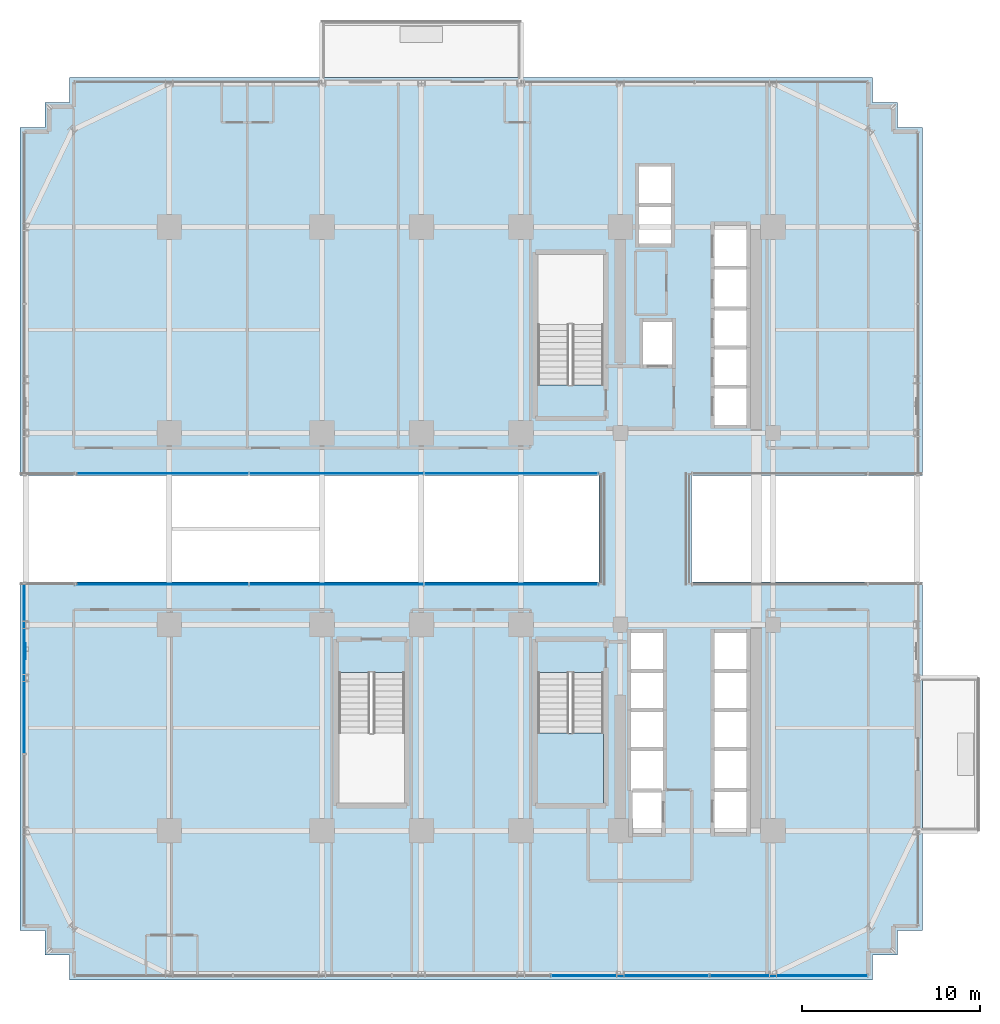
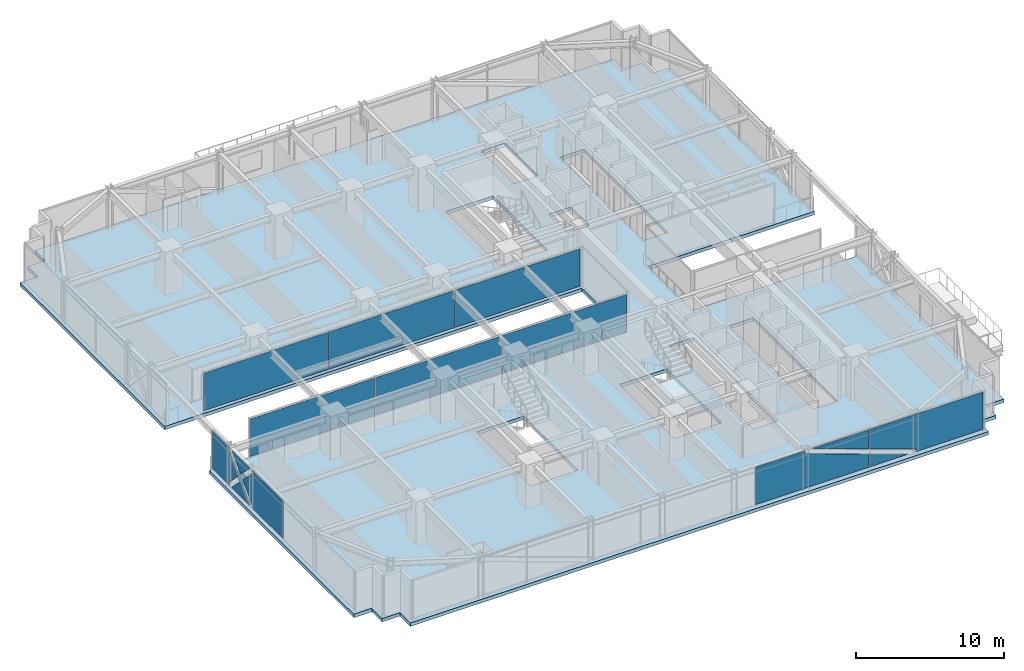
# One storey, part 35 of 47: 10 plates, 2 slabs, 5 elements without a shape of their own.
"""IFC4 building model written with IfcOpenShell, lengths in metres."""

from ifc_helpers import new_model, si_unit, direction, frame, origin, origin_2d, place, context, subcontext, project, spatial, polyline, rectangle, outline, extrude, source, transform, mapped, material, layer, layer_set, type_object, element, aggregate, save


model = new_model("IFC4")

# Units and contexts
model_context = context("Model", 3, precision=1e-05, world=origin(), true_north=direction((0.0, 1.0)))
body_context = subcontext(model_context, "Body", "Model", "MODEL_VIEW")
ifc_project = project(units=[si_unit("LENGTHUNIT", "METRE"), si_unit("AREAUNIT", "SQUARE_METRE"), si_unit("VOLUMEUNIT", "CUBIC_METRE"), si_unit("PLANEANGLEUNIT", "RADIAN"), si_unit("MASSUNIT", "GRAM", prefix="KILO")], contexts=[model_context])

# Site, building, storey
site_placement = place(None, origin())
site = spatial("IfcSite", under=ifc_project, at=site_placement, CompositionType="ELEMENT")
building_placement = place(site_placement, origin())
building = spatial("IfcBuilding", under=site, at=building_placement, Name="Nahalor Promenade Grand Hotel", CompositionType="ELEMENT")
storey_placement = place(building_placement, frame((0.0, 0.0, 68.89990234375)))
storey = spatial("IfcBuildingStorey", under=building, at=storey_placement, Name="L16", CompositionType="ELEMENT", Elevation=68.89990234375)

# Curtain wall, plates
ifc_material_1 = material(Name="Anodised Bronze Aluminium EN AW-6063 T6", Category="aluminium")
curtain_wall_type = type_object("IfcCurtainWallType", Name="CW3 Elliptical-Void Collar Unitised Curtain Wall", PredefinedType="USERDEFINED", material=ifc_material_1)
curtain_wall_1_placement = place(storey_placement, origin())
curtain_wall_1 = element("IfcCurtainWall", 1, at=curtain_wall_1_placement, inside=storey, type_object=curtain_wall_type, Name="L16 Curtain Wall CW-L16-S-1", ObjectType="UNITISED_CURTAIN_WALL", PredefinedType="USERDEFINED")
ifc_material_2 = material(Name="Low-E Laminated Solar Glass", Category="glass")
ifc_layer_1 = layer(ifc_material_2, 0.030029296875)
ifc_layer_set_1 = layer_set([ifc_layer_1], Name="Low-E Laminated Solar Glass")
plate_type_1 = type_object("IfcPlateType", Name="CWP3 High-Wind Laminated Bronze IGU 30mm", PredefinedType="CURTAIN_PANEL", material=ifc_layer_set_1)
plate_1_placement = place(storey_placement, frame((8.944091796875, -25.159912109375, 0.14013671875), z_axis=(0.0, 0.0, 1.0), x_axis=(1.0, 0.0, 0.0)))
plate_1 = element("IfcPlate", 2, at=plate_1_placement, type_object=plate_type_1, Name="CW-L16-S-1 Glazing Panel 3-0", PredefinedType="CURTAIN_PANEL", context=body_context, shape_type="SweptSolid", body=[
    extrude(outline(polyline([(-4.43701171875, 0.0), (4.43701171875, 0.0), (4.43701171875, 1.089599609375), (-0.634765625, 2.900146484375), (-0.56689453125, 3.090087890625), (-4.43701171875, 3.090087890625), (-4.43701171875, 0.0)])), frame((0.0, 0.01513671875, 0.0), z_axis=(0.0, -1.0, 0.0), x_axis=(1.0, 0.0, 0.0)), (0.0, 0.0, 1.0), 0.030029296875),
    extrude(outline(polyline([(4.43701171875, 1.51416015625), (4.43701171875, 3.090087890625), (0.02294921875, 3.090087890625), (4.43701171875, 1.51416015625)])), frame((0.0, 0.01513671875, 0.0), z_axis=(0.0, -1.0, 0.0), x_axis=(1.0, 0.0, 0.0)), (0.0, 0.0, 1.0), 0.030029296875),
])
plate_2_placement = place(storey_placement, frame((17.87060546875, -25.159912109375, 0.14013671875), z_axis=(0.0, 0.0, 1.0), x_axis=(1.0, 0.0, 0.0)))
plate_2 = element("IfcPlate", 3, at=plate_2_placement, type_object=plate_type_1, Name="CW-L16-S-1 Glazing Panel 4-0", PredefinedType="CURTAIN_PANEL", context=body_context, shape_type="SweptSolid", body=[
    extrude(outline(polyline([(4.41943359375, 3.090087890625), (-4.41943359375, 3.090087890625), (-4.41943359375, 1.4892578125), (-0.77978515625, 0.18994140625), (-0.847412109375, 0.0), (4.41943359375, 0.0), (4.41943359375, 3.090087890625)])), frame((0.0, 0.01513671875, 0.0), z_axis=(0.0, -1.0, 0.0), x_axis=(1.0, 0.0, 0.0)), (0.0, 0.0, 1.0), 0.030029296875),
    extrude(outline(polyline([(-4.41943359375, 1.064453125), (-4.41943359375, 0.0), (-1.437255859375, 0.0), (-4.41943359375, 1.064453125)])), frame((0.0, 0.01513671875, 0.0), z_axis=(0.0, -1.0, 0.0), x_axis=(1.0, 0.0, 0.0)), (0.0, 0.0, 1.0), 0.030029296875),
])
aggregate(curtain_wall_1, [plate_1, plate_2])

# Curtain wall, plate
curtain_wall_2_placement = place(storey_placement, origin())
curtain_wall_2 = element("IfcCurtainWall", 4, at=curtain_wall_2_placement, inside=storey, type_object=curtain_wall_type, Name="L16 Curtain Wall CW-L16-W-1", ObjectType="UNITISED_CURTAIN_WALL", PredefinedType="USERDEFINED")
plate_3_placement = place(storey_placement, frame((-25.159912109375, -7.856689453125, 0.14013671875), z_axis=(0.0, 0.0, 1.0), x_axis=(0.0, 1.0, 0.0)))
plate_3 = element("IfcPlate", 5, at=plate_3_placement, type_object=plate_type_1, Name="CW-L16-W-1 Glazing Panel 1-0", PredefinedType="CURTAIN_PANEL", context=body_context, shape_type="SweptSolid", body=[
    extrude(outline(polyline([(-4.787841796875, 3.090087890625), (-4.787841796875, 0.0), (-0.56884765625, 0.0), (-0.703857421875, 0.1318359375), (0.67724609375, 1.544921875), (-0.703857421875, 2.9580078125), (-0.56884765625, 3.090087890625), (-4.787841796875, 3.090087890625)])), frame((0.0, 0.01513671875, 0.0), z_axis=(0.0, -1.0, 0.0), x_axis=(1.0, 0.0, 0.0)), (0.0, 0.0, 1.0), 0.030029296875),
    extrude(outline(polyline([(0.956787109375, 1.2587890625), (-0.2734375, 0.0), (2.186767578125, 0.0), (0.956787109375, 1.2587890625)])), frame((0.0, 0.01513671875, 0.0), z_axis=(0.0, -1.0, 0.0), x_axis=(1.0, 0.0, 0.0)), (0.0, 0.0, 1.0), 0.030029296875),
    extrude(outline(polyline([(0.956787109375, 1.831298828125), (2.186767578125, 3.090087890625), (-0.2734375, 3.090087890625), (0.956787109375, 1.831298828125)])), frame((0.0, 0.01513671875, 0.0), z_axis=(0.0, -1.0, 0.0), x_axis=(1.0, 0.0, 0.0)), (0.0, 0.0, 1.0), 0.030029296875),
    extrude(outline(polyline([(4.787841796875, 0.0), (4.787841796875, 3.090087890625), (2.482177734375, 3.090087890625), (2.6171875, 2.9580078125), (1.236328125, 1.544921875), (2.6171875, 0.1318359375), (2.482177734375, 0.0), (4.787841796875, 0.0)])), frame((0.0, 0.01513671875, 0.0), z_axis=(0.0, -1.0, 0.0), x_axis=(1.0, 0.0, 0.0)), (0.0, 0.0, 1.0), 0.030029296875),
])
aggregate(curtain_wall_2, [plate_3])

# Stair, slab
ifc_material_3 = material(Name="Concrete B-50 (C40/50)", Category="concrete")
stair_type = type_object("IfcStairType", Name="Stair-ST2", PredefinedType="HALF_TURN_STAIR", material=ifc_material_3)
stair_placement = place(storey_placement, origin())
stair = element("IfcStair", 6, at=stair_placement, inside=storey, type_object=stair_type, Name="L16 ST2", PredefinedType="HALF_TURN_STAIR")
ifc_layer_2 = layer(ifc_material_3, 0.2099609375)
ifc_layer_set_2 = layer_set([ifc_layer_2], Name="Concrete B-50 (C40/50)")
slab_type_1 = type_object("IfcSlabType", Name="Landing-ST2", PredefinedType="LANDING", material=ifc_layer_set_2)
slab_1_placement = place(storey_placement, frame((0.0, 0.0, 1.614990234375)))
slab_1 = element("IfcSlab", 7, at=slab_1_placement, type_object=slab_type_1, Name="ST2 landing 1", PredefinedType="LANDING", context=body_context, shape_type="SweptSolid", body=[
    extrude(outline(polyline([(3.75, -11.5), (3.75, -15.449951171875), (7.449951171875, -15.449951171875), (7.449951171875, -11.5), (3.75, -11.5)])), origin(), (0.0, 0.0, 1.0), 0.210205078125),
])
aggregate(stair, [slab_1])

# Slab
ifc_layer_3 = layer(ifc_material_3, 0.280029296875)
ifc_layer_set_3 = layer_set([ifc_layer_3], Name="Concrete B-50 (C40/50)")
slab_type_2 = type_object("IfcSlabType", Name="Slab-TowerZ1-280", PredefinedType="FLOOR", material=ifc_layer_set_3)
slab_2_placement = place(storey_placement, frame((0.0, 0.0, -0.27978515625)))
element("IfcSlab", 8, at=slab_2_placement, inside=storey, type_object=slab_type_2, Name="L16 Suspended Structural Floor Slab", PredefinedType="FLOOR", context=body_context, shape_type="SweptSolid", body=[
    extrude(outline(polyline([(-22.60009765625, -25.39990234375), (22.60009765625, -25.39990234375), (22.60009765625, -24.0), (24.0, -24.0), (24.0, -22.60009765625), (25.39990234375, -22.60009765625), (25.39990234375, -2.9990234375), (12.39990234375, -2.9990234375), (12.39990234375, 2.9990234375), (25.39990234375, 2.9990234375), (25.39990234375, 22.60009765625), (24.0, 22.60009765625), (24.0, 24.0), (22.60009765625, 24.0), (22.60009765625, 25.39990234375), (-22.60009765625, 25.39990234375), (-22.60009765625, 24.0), (-24.0, 24.0), (-24.0, 22.60009765625), (-25.39990234375, 22.60009765625), (-25.39990234375, 2.9990234375), (7.199951171875, 2.9990234375), (7.199951171875, -2.9990234375), (-25.39990234375, -2.9990234375), (-25.39990234375, -22.60009765625), (-24.0, -22.60009765625), (-24.0, -24.0), (-22.60009765625, -24.0), (-22.60009765625, -25.39990234375)]), holes=[polyline([(3.75, 8.10009765625), (7.449951171875, 8.10009765625), (7.449951171875, 15.449951171875), (3.75, 15.449951171875), (3.75, 8.10009765625)]), polyline([(3.75, -15.449951171875), (7.449951171875, -15.449951171875), (7.449951171875, -8.10009765625), (3.75, -8.10009765625), (3.75, -15.449951171875)]), polyline([(-7.449951171875, -15.449951171875), (-3.75, -15.449951171875), (-3.75, -8.10009765625), (-7.449951171875, -8.10009765625), (-7.449951171875, -15.449951171875)]), polyline([(13.659912109375, 5.81005859375), (15.5400390625, 5.81005859375), (15.5400390625, 17.139892578125), (13.659912109375, 17.139892578125), (13.659912109375, 5.81005859375)]), polyline([(13.659912109375, -17.139892578125), (15.5400390625, -17.139892578125), (15.5400390625, -5.81005859375), (13.659912109375, -5.81005859375), (13.659912109375, -17.139892578125)]), polyline([(8.9599609375, -17.18994140625), (10.840087890625, -17.18994140625), (10.840087890625, -5.81005859375), (8.9599609375, -5.81005859375), (8.9599609375, -17.18994140625)]), polyline([(9.409912109375, 16.010009765625), (11.2900390625, 16.010009765625), (11.2900390625, 20.43994140625), (9.409912109375, 20.43994140625), (9.409912109375, 16.010009765625)]), polyline([(9.659912109375, 9.2099609375), (11.340087890625, 9.2099609375), (11.340087890625, 11.68994140625), (9.659912109375, 11.68994140625), (9.659912109375, 9.2099609375)])]), origin(), (0.0, 0.0, 1.0), 0.27978515625),
])

# Plate
ifc_material_4 = material(Name="Steel S355J2", Category="steel")
ifc_layer_4 = layer(ifc_material_4, 0.035888671875)
ifc_layer_set_4 = layer_set([ifc_layer_4], Name="Steel S355J2")
plate_type_2 = type_object("IfcPlateType", Name="Plate-CrossGusset-36", PredefinedType="USERDEFINED", material=ifc_layer_set_4)
shared_shape_1 = source(origin(), body_context, "Body", "SweptSolid", [
    extrude(rectangle(XDim=0.89990234375, YDim=0.035888671875, at=origin_2d()), origin(), (0.0, 0.0, 1.0), 0.89990234375),
])
plate_4_placement = place(storey_placement, frame((-25.080078125, -6.89990234375, 1.235107421875), z_axis=(0.0, 0.0, 1.0), x_axis=(0.0, 1.0, 0.0)))
element("IfcPlate", 9, at=plate_4_placement, inside=storey, type_object=plate_type_2, Name="PL-L16-VXX-W0", ObjectType="GUSSET_PLATE", PredefinedType="USERDEFINED", context=body_context, shape_type="MappedRepresentation", body=[
    mapped(shared_shape_1, transform((0.0, 0.0, 0.0), scale=1.0)),
])

# Curtain wall, plates
curtain_wall_3_placement = place(storey_placement, origin())
curtain_wall_3 = element("IfcCurtainWall", 10, at=curtain_wall_3_placement, inside=storey, type_object=curtain_wall_type, Name="L16 Curtain Wall CW-L16-VOID-WS1", ObjectType="UNITISED_CURTAIN_WALL", PredefinedType="USERDEFINED")
shared_shape_2 = source(origin(), body_context, "Body", "SweptSolid", [
    extrude(rectangle(XDim=9.748291015625, YDim=0.030029296875, at=origin_2d()), origin(), (0.0, 0.0, 1.0), 3.090087890625),
])
plate_5_placement = place(storey_placement, frame((-17.415771484375, -3.118896484375, 0.14013671875), z_axis=(0.0, 0.0, 1.0), x_axis=(1.0, 0.0, 0.0)))
plate_5 = element("IfcPlate", 11, at=plate_5_placement, type_object=plate_type_1, Name="CW-L16-VOID-WS1 Glazing Panel 0-0", PredefinedType="CURTAIN_PANEL", context=body_context, shape_type="MappedRepresentation", body=[
    mapped(shared_shape_2, transform((0.0, 0.0, 0.0), scale=1.0)),
])
plate_6_placement = place(storey_placement, frame((2.255859375, -3.118896484375, 0.14013671875), z_axis=(0.0, 0.0, 1.0), x_axis=(1.0, 0.0, 0.0)))
plate_6 = element("IfcPlate", 12, at=plate_6_placement, type_object=plate_type_1, Name="CW-L16-VOID-WS1 Glazing Panel 2-0", PredefinedType="CURTAIN_PANEL", context=body_context, shape_type="MappedRepresentation", body=[
    mapped(shared_shape_2, transform((0.0, 0.0, 0.0), scale=1.0)),
])

curtain_wall_4_placement = place(storey_placement, origin())
curtain_wall_4 = element("IfcCurtainWall", 13, at=curtain_wall_4_placement, inside=storey, type_object=curtain_wall_type, Name="L16 Curtain Wall CW-L16-VOID-WN1", ObjectType="UNITISED_CURTAIN_WALL", PredefinedType="USERDEFINED")
plate_7_placement = place(storey_placement, frame((-17.415771484375, 3.118896484375, 0.14013671875), z_axis=(0.0, 0.0, 1.0), x_axis=(1.0, 0.0, 0.0)))
plate_7 = element("IfcPlate", 14, at=plate_7_placement, type_object=plate_type_1, Name="CW-L16-VOID-WN1 Glazing Panel 0-0", PredefinedType="CURTAIN_PANEL", context=body_context, shape_type="MappedRepresentation", body=[
    mapped(shared_shape_2, transform((0.0, 0.0, 0.0), scale=1.0)),
])
plate_8_placement = place(storey_placement, frame((2.255859375, 3.118896484375, 0.14013671875), z_axis=(0.0, 0.0, 1.0), x_axis=(1.0, 0.0, 0.0)))
plate_8 = element("IfcPlate", 15, at=plate_8_placement, type_object=plate_type_1, Name="CW-L16-VOID-WN1 Glazing Panel 2-0", PredefinedType="CURTAIN_PANEL", context=body_context, shape_type="MappedRepresentation", body=[
    mapped(shared_shape_2, transform((0.0, 0.0, 0.0), scale=1.0)),
])

# Plate
shared_shape_3 = source(origin(), body_context, "Body", "SweptSolid", [
    extrude(rectangle(XDim=9.783447265625, YDim=0.030029296875, at=origin_2d()), origin(), (0.0, 0.0, 1.0), 3.090087890625),
])
plate_9_placement = place(storey_placement, frame((-7.580078125, -3.118896484375, 0.14013671875), z_axis=(0.0, 0.0, 1.0), x_axis=(1.0, 0.0, 0.0)))
plate_9 = element("IfcPlate", 16, at=plate_9_placement, type_object=plate_type_1, Name="CW-L16-VOID-WS1 Glazing Panel 1-0", PredefinedType="CURTAIN_PANEL", context=body_context, shape_type="MappedRepresentation", body=[
    mapped(shared_shape_3, transform((0.0, 0.0, 0.0), scale=1.0)),
])

aggregate(curtain_wall_3, [plate_5, plate_9, plate_6])

plate_10_placement = place(storey_placement, frame((-7.580078125, 3.118896484375, 0.14013671875), z_axis=(0.0, 0.0, 1.0), x_axis=(1.0, 0.0, 0.0)))
plate_10 = element("IfcPlate", 17, at=plate_10_placement, type_object=plate_type_1, Name="CW-L16-VOID-WN1 Glazing Panel 1-0", PredefinedType="CURTAIN_PANEL", context=body_context, shape_type="MappedRepresentation", body=[
    mapped(shared_shape_3, transform((0.0, 0.0, 0.0), scale=1.0)),
])

aggregate(curtain_wall_4, [plate_7, plate_10, plate_8])

save(model, "model.ifc")
